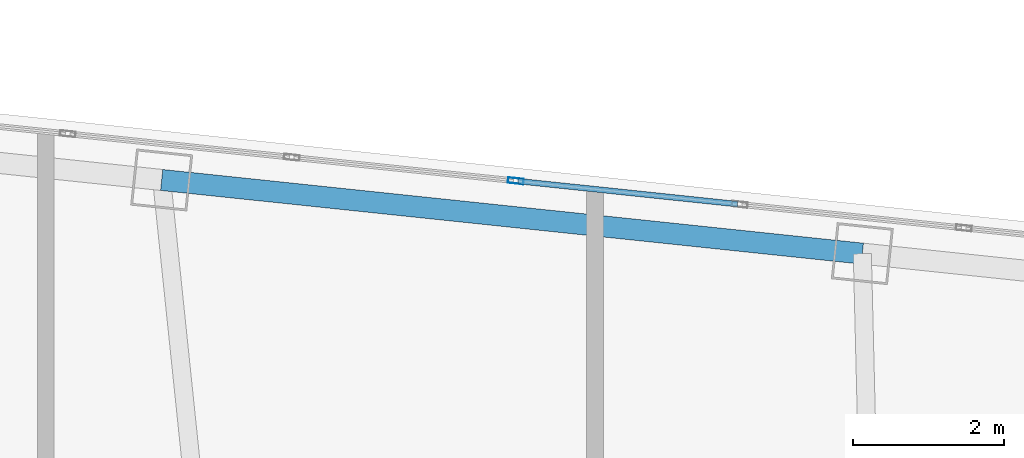
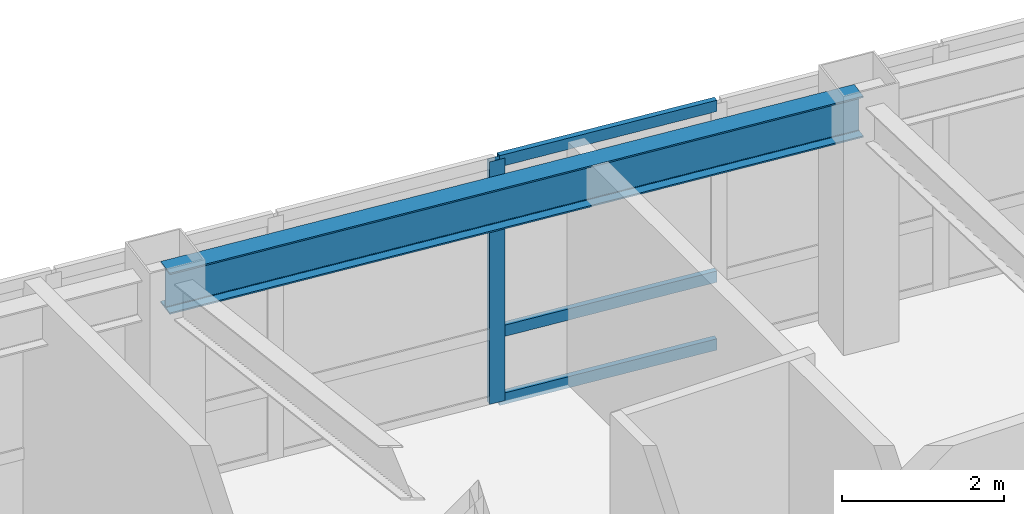
# One storey, part 4 of 15: 4 members, 1 beam, 1 element without a shape of its own.
"""IFC4 building model written with IfcOpenShell, lengths in metres."""

from ifc_helpers import new_model, si_unit, direction, frame, origin, origin_2d, place, context, subcontext, project, spatial, hollow_rectangle, i_section, extrude, material, layer, layer_set, material_profile, profile_set, type_object, element, aggregate, save


model = new_model("IFC4")

# Units and contexts
model_context = context("Model", 3, precision=1e-05, world=origin(), true_north=direction((0.0, 1.0)))
body_context = subcontext(model_context, "Body", "Model", "MODEL_VIEW")
ifc_project = project(units=[si_unit("LENGTHUNIT", "METRE"), si_unit("AREAUNIT", "SQUARE_METRE"), si_unit("VOLUMEUNIT", "CUBIC_METRE"), si_unit("PLANEANGLEUNIT", "RADIAN"), si_unit("MASSUNIT", "GRAM", prefix="KILO")], contexts=[model_context])

# Site, building, storey
site_placement = place(None, origin())
site = spatial("IfcSite", under=ifc_project, at=site_placement, CompositionType="ELEMENT")
building_placement = place(site_placement, origin())
building = spatial("IfcBuilding", under=site, at=building_placement, Name="Voryun Gate Residences", CompositionType="ELEMENT")
storey_placement = place(building_placement, frame((0.0, 0.0, 263.89990234375)))
storey = spatial("IfcBuildingStorey", under=building, at=storey_placement, Name="L65", CompositionType="ELEMENT", Elevation=263.89990234375)

# Beam
ifc_material_1 = material(Name="Steel SM355", Category="steel")
ifc_material_profile_1 = material_profile(ifc_material_1, i_section(OverallWidth=0.280029296875, OverallDepth=0.6201171875, WebThickness=0.013916015625, FlangeThickness=0.02197265625, FilletRadius=0.01806640625, at=origin_2d()), Name="H-620x280x14x22")
ifc_profile_set_1 = profile_set([ifc_material_profile_1], Name="Steel SM355")
beam_type = type_object("IfcBeamType", Name="BM_EXO_SPANDREL_H", PredefinedType="SPANDREL", material=ifc_profile_set_1)
beam_placement = place(storey_placement, frame((3.95166015625, 17.561279296875, 3.340087890625), z_axis=(-0.994520592114, 0.104540862157, 0.0), x_axis=(-0.104540862157, -0.994520592114, 0.0)))
element("IfcBeam", 1, at=beam_placement, inside=storey, type_object=beam_type, Name="BM-L65-SPAND-13", PredefinedType="SPANDREL", context=body_context, shape_type="SweptSolid", body=[
    extrude(i_section(OverallWidth=0.280029296875, OverallDepth=0.6201171875, WebThickness=0.013916015625, FlangeThickness=0.02197265625, FilletRadius=0.01806640625, at=origin_2d()), origin(), (0.0, 0.0, 1.0), 9.360107421875),
])

# Curtain wall, members
ifc_material_2 = material(Name="Anodised aluminium", Category="aluminium")
ifc_layer = layer(ifc_material_2, 0.2099609375, Name="CW_SYS_SKYGARDEN_DARK_GLASS")
ifc_layer_set = layer_set([ifc_layer], Name="Anodised aluminium")
curtain_wall_type = type_object("IfcCurtainWallType", Name="CW_SYS_SKYGARDEN_DARK_GLASS", PredefinedType="NOTDEFINED", material=ifc_layer_set)
curtain_wall_placement = place(storey_placement, origin())
curtain_wall = element("IfcCurtainWall", 2, at=curtain_wall_placement, inside=storey, type_object=curtain_wall_type, Name="Curtain wall CW5-L65-SG-11", PredefinedType="NOTDEFINED")
ifc_material_3 = material(Name="Anodised aluminium", Category="aluminium")
ifc_material_profile_2 = material_profile(ifc_material_3, hollow_rectangle(XDim=0.074951171875, YDim=0.2099609375, WallThickness=0.0048828125, at=origin_2d()), Name="ALU-MULL-210x75x5")
ifc_profile_set_2 = profile_set([ifc_material_profile_2], Name="Anodised aluminium")
member_type_1 = type_object("IfcMemberType", Name="CW_MULL_SKY", PredefinedType="MULLION", material=ifc_profile_set_2)
member_1_placement = place(storey_placement, frame((-0.652587890625, 18.52783203125, 0.0), z_axis=(0.0, 0.0, 1.0), x_axis=(0.104532256285, 0.994521496699, 0.0)))
member_1 = element("IfcMember", 3, at=member_1_placement, type_object=member_type_1, Name="CW5 mullion 6", PredefinedType="MULLION", context=body_context, shape_type="SweptSolid", body=[
    extrude(hollow_rectangle(XDim=0.074951171875, YDim=0.2099609375, WallThickness=0.0048828125, at=origin_2d()), origin(), (0.0, 0.0, 1.0), 3.650146484375),
])
ifc_material_4 = material(Name="Anodised aluminium", Category="aluminium")
ifc_material_profile_3 = material_profile(ifc_material_4, hollow_rectangle(XDim=0.074951171875, YDim=0.169921875, WallThickness=0.0048828125, at=origin_2d()), Name="ALU-TRAN-170x75x5")
ifc_profile_set_3 = profile_set([ifc_material_profile_3], Name="Anodised aluminium")
member_type_2 = type_object("IfcMemberType", Name="CW_TRAN_SKY", PredefinedType="USERDEFINED", material=ifc_profile_set_3)
member_2_placement = place(storey_placement, frame((-0.622802734375, 18.52490234375, 0.030029296875), z_axis=(0.994520038301, -0.104546130575, 0.0), x_axis=(0.104546130575, 0.994520038301, 0.0)))
member_2 = element("IfcMember", 4, at=member_2_placement, type_object=member_type_2, Name="CW5 transom 6.1", ObjectType="TRANSOM", PredefinedType="USERDEFINED", context=body_context, shape_type="SweptSolid", body=[
    extrude(hollow_rectangle(XDim=0.074951171875, YDim=0.169921875, WallThickness=0.0048828125, at=origin_2d()), origin(), (0.0, 0.0, 1.0), 2.93310546875),
])
member_3_placement = place(storey_placement, frame((-0.622802734375, 18.52490234375, 1.050048828125), z_axis=(0.994520038301, -0.104546130575, 0.0), x_axis=(0.104546130575, 0.994520038301, 0.0)))
member_3 = element("IfcMember", 5, at=member_3_placement, type_object=member_type_2, Name="CW5 transom 6.2", ObjectType="TRANSOM", PredefinedType="USERDEFINED", context=body_context, shape_type="SweptSolid", body=[
    extrude(hollow_rectangle(XDim=0.074951171875, YDim=0.169921875, WallThickness=0.0048828125, at=origin_2d()), origin(), (0.0, 0.0, 1.0), 2.93310546875),
])
member_4_placement = place(storey_placement, frame((-0.622802734375, 18.52490234375, 3.6201171875), z_axis=(0.994520038301, -0.104546130575, 0.0), x_axis=(0.104546130575, 0.994520038301, 0.0)))
member_4 = element("IfcMember", 6, at=member_4_placement, type_object=member_type_2, Name="CW5 transom 6.3", ObjectType="TRANSOM", PredefinedType="USERDEFINED", context=body_context, shape_type="SweptSolid", body=[
    extrude(hollow_rectangle(XDim=0.074951171875, YDim=0.169921875, WallThickness=0.0048828125, at=origin_2d()), origin(), (0.0, 0.0, 1.0), 2.93310546875),
])
aggregate(curtain_wall, [member_1, member_2, member_3, member_4])

save(model, "model.ifc")
